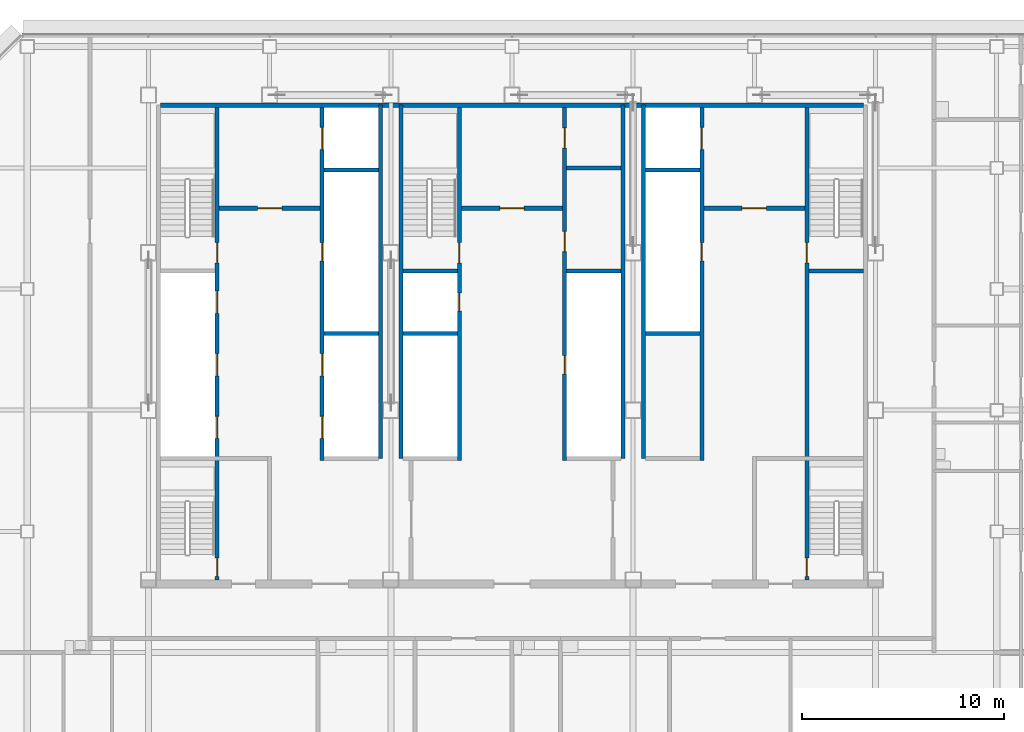
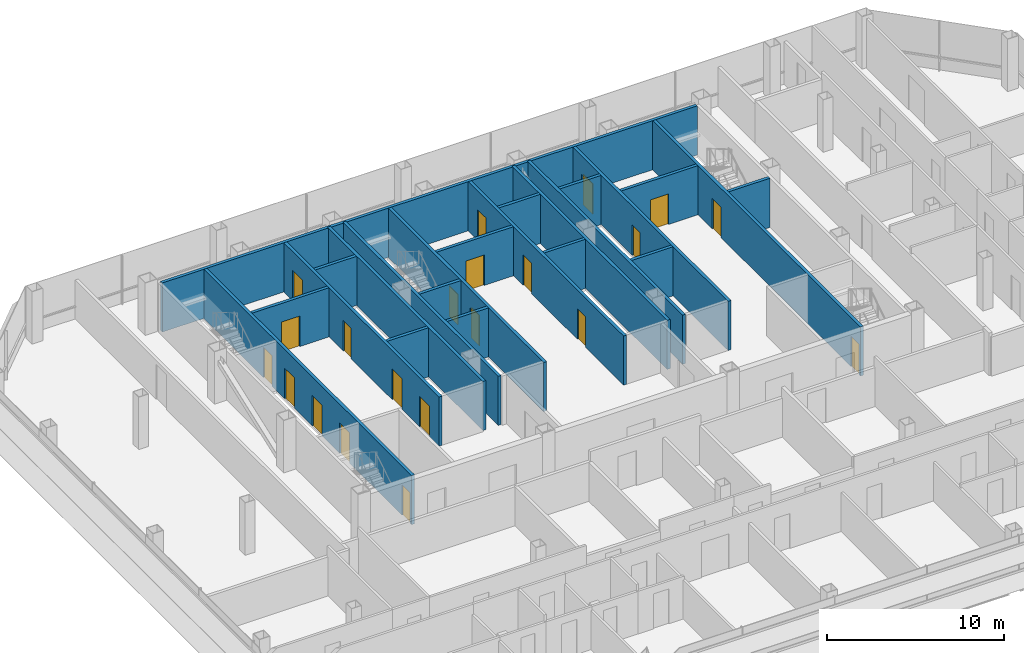
# One storey, part 22 of 26: 23 walls, 21 doors, 21 openings.
"""IFC4 building model written with IfcOpenShell, lengths in metres."""

import ifcopenshell
import ifcopenshell.guid

model = None  # the IFC model being written
_history = None  # IfcOwnerHistory: only IFC2X3 demands one
_inside = {}  # id of a spatial element -> (the spatial element, [elements in it])
_under = {}  # id of a project, library or spatial element -> (it, [spatial elements below it])
_declared = {}  # id of a project -> (the project, [libraries it declares])
_typed = {}  # id of a type object -> (the type object, [elements of that type])
_made_of = {}  # id of a material, layer set ... -> (it, [elements and type objects made of it])


def new_model(schema):
    """Start an empty IFC model of exactly this schema.

    Asked for "IFC4X3", IfcOpenShell would pick the latest addendum, in which some entities
    have other attributes; the version numbers below select the first issue.
    IFC2X3 requires an IfcOwnerHistory on every rooted entity: one is made here for all.
    """
    global model, _history
    if schema == "IFC4X3":
        model = ifcopenshell.file(schema_version=(4, 3, 0, 0))
    else:
        model = ifcopenshell.file(schema=schema)
    _inside.clear()
    _under.clear()
    _declared.clear()
    _typed.clear()
    _made_of.clear()
    _history = None
    if model.schema == "IFC2X3":
        org = make("IfcOrganization", Name="unknown")
        user = make(
            "IfcPersonAndOrganization",
            ThePerson=make("IfcPerson", FamilyName="unknown"),
            TheOrganization=org,
        )
        app = make(
            "IfcApplication",
            ApplicationDeveloper=org,
            Version="unknown",
            ApplicationFullName="unknown",
            ApplicationIdentifier="unknown",
        )
        _history = make(
            "IfcOwnerHistory",
            OwningUser=user,
            OwningApplication=app,
            ChangeAction="ADDED",
            CreationDate=0,
        )
    return model


def make(cls, **values):
    """One entity of the class cls with the attributes given. An attribute that is None is left unset."""
    return model.create_entity(
        cls, **{name: value for name, value in values.items() if value is not None}
    )


def rooted(cls, **values):
    """An entity with a GlobalId (a new one), such as an element, a storey or a relation."""
    return make(cls, GlobalId=ifcopenshell.guid.new(), OwnerHistory=_history, **values)


def si_unit(unit_type, name, prefix=None):
    """IfcSIUnit, for example si_unit("LENGTHUNIT", "METRE", prefix="MILLI")."""
    return make("IfcSIUnit", UnitType=unit_type, Prefix=prefix, Name=name)


def assignment(units):
    """IfcUnitAssignment: the units of a project."""
    return None if units is None else make("IfcUnitAssignment", Units=units)


def point(xyz):
    """IfcCartesianPoint."""
    return None if xyz is None else make("IfcCartesianPoint", Coordinates=xyz)


def direction(xyz):
    """IfcDirection."""
    return None if xyz is None else make("IfcDirection", DirectionRatios=xyz)


def frame(location, z_axis=None, x_axis=None):
    """IfcAxis2Placement3D, a coordinate frame: its origin and axes. An axis left out is left unset."""
    return make(
        "IfcAxis2Placement3D",
        Location=point(location),
        Axis=direction(z_axis),
        RefDirection=direction(x_axis),
    )


def frame_2d(location, x_axis=None):
    """IfcAxis2Placement2D, a coordinate frame in the plane: its origin and x axis."""
    return make(
        "IfcAxis2Placement2D", Location=point(location), RefDirection=direction(x_axis)
    )


def origin():
    """The frame at (0, 0, 0) with its axes left unset."""
    return frame((0.0, 0.0, 0.0))


def place(relative_to, where):
    """IfcLocalPlacement: puts the frame where relative to a parent placement (None: the world)."""
    return make(
        "IfcLocalPlacement", PlacementRelTo=relative_to, RelativePlacement=where
    )


def context(
    kind, dimensions, precision=None, world=None, true_north=None, identifier=None
):
    """IfcGeometricRepresentationContext, for example the 3D "Model" context."""
    return make(
        "IfcGeometricRepresentationContext",
        ContextIdentifier=identifier,
        ContextType=kind,
        CoordinateSpaceDimension=dimensions,
        Precision=precision,
        WorldCoordinateSystem=world,
        TrueNorth=true_north,
    )


def subcontext(parent, identifier, kind, view, scale=None):
    """IfcGeometricRepresentationSubContext, for example "Body" below "Model"."""
    return make(
        "IfcGeometricRepresentationSubContext",
        ContextIdentifier=identifier,
        ContextType=kind,
        ParentContext=parent,
        TargetScale=scale,
        TargetView=view,
    )


def project(units=None, contexts=None):
    """IfcProject with its units and contexts."""
    return rooted(
        "IfcProject",
        Name="project",
        RepresentationContexts=contexts,
        UnitsInContext=assignment(units),
    )


def spatial(cls, under=None, at=None, **own):
    """A site, building, storey or space (cls), placed at a placement, below another one or the project."""
    s = rooted(cls, ObjectPlacement=at, **own)
    if under is not None:
        _under.setdefault(under.id(), (under, []))[1].append(s)
    return s


def profile(cls, at=None, kind="AREA", **sizes):
    """A parametric profile (cls). Its sizes go by their IFC names, for example OverallWidth=200.0."""
    return make(cls, ProfileType=kind, Position=at, **sizes)


def rectangle(**sizes):
    """IfcRectangleProfileDef."""
    return profile("IfcRectangleProfileDef", **sizes)


def extrude(swept, where, along, depth):
    """IfcExtrudedAreaSolid: the profile swept, set in the frame where, extruded along a direction by depth."""
    return make(
        "IfcExtrudedAreaSolid",
        SweptArea=swept,
        Position=where,
        ExtrudedDirection=direction(along),
        Depth=depth,
    )


def shape(context_of_items, identifier, shape_type, items):
    """IfcShapeRepresentation: the items that make up one representation, for example the "Body"."""
    return make(
        "IfcShapeRepresentation",
        ContextOfItems=context_of_items,
        RepresentationIdentifier=identifier,
        RepresentationType=shape_type,
        Items=items,
    )


def material(Name=None, Category=None):
    """IfcMaterial."""
    return make("IfcMaterial", Name=Name, Category=Category)


def layer(
    of_material, thickness, ventilated=None, Name=None, Category=None, Priority=None
):
    """IfcMaterialLayer: one layer of a wall or slab, of a material (None: an air gap)."""
    return make(
        "IfcMaterialLayer",
        Material=of_material,
        LayerThickness=thickness,
        IsVentilated=ventilated,
        Name=Name,
        Category=Category,
        Priority=Priority,
    )


def layer_set(layers, Name=None):
    """IfcMaterialLayerSet."""
    return make("IfcMaterialLayerSet", MaterialLayers=layers, LayerSetName=Name)


def made_of(thing, what):
    """Note that an element or type object is made of a material, layer set ...; save() writes the relation."""
    if what is not None:
        _made_of.setdefault(what.id(), (what, []))[1].append(thing)
    return thing


def type_object(cls, material=None, **own):
    """A type object (cls), such as IfcWallType, which elements share."""
    return made_of(rooted(cls, **own), material)


def element(
    cls,
    number,
    at=None,
    inside=None,
    cuts=None,
    type_object=None,
    material=None,
    context=None,
    identifier="Body",
    shape_type=None,
    held_by="IfcProductDefinitionShape",
    body=None,
    shapes=None,
    **own,
):
    """One element of the class cls, such as IfcWall. Its Tag is "e" and its number.

    at: its placement. inside: the storey or other place that contains it. cuts: it is an
    opening in that element (IfcRelVoidsElement). A single representation is given by context,
    identifier, shape_type and body (its items); several are given by shapes. held_by: the class
    of the entity that holds the representations. save() writes the other relations.
    """
    e = rooted(cls, Tag="e%d" % number, ObjectPlacement=at, **own)
    if body is not None:
        shapes = [shape(context, identifier, shape_type, body)]
    if shapes is not None:
        e.Representation = make(held_by, Representations=shapes)
    if inside is not None:
        _inside.setdefault(inside.id(), (inside, []))[1].append(e)
    if cuts is not None:
        rooted(
            "IfcRelVoidsElement", RelatingBuildingElement=cuts, RelatedOpeningElement=e
        )
    if type_object is not None:
        _typed.setdefault(type_object.id(), (type_object, []))[1].append(e)
    return made_of(e, material)


def fill(opening, filler):
    """IfcRelFillsElement: the door or window that sits in an opening."""
    return rooted(
        "IfcRelFillsElement",
        RelatingOpeningElement=opening,
        RelatedBuildingElement=filler,
    )


def aggregate(whole, parts):
    """IfcRelAggregates: a whole, such as a stair, and the parts it consists of."""
    return rooted("IfcRelAggregates", RelatingObject=whole, RelatedObjects=parts)


def save(model, path):
    """Write the relations noted so far, then the file.

    IfcRelAggregates (storeys below a building ...), IfcRelContainedInSpatialStructure (elements
    in a storey), IfcRelDefinesByType, IfcRelAssociatesMaterial and IfcRelDeclares: one each for
    every whole, place, type object, material and project.
    """
    for whole, parts in _under.values():
        aggregate(whole, parts)
    for where, things in _inside.values():
        rooted(
            "IfcRelContainedInSpatialStructure",
            RelatedElements=things,
            RelatingStructure=where,
        )
    for kind, things in _typed.values():
        rooted("IfcRelDefinesByType", RelatedObjects=things, RelatingType=kind)
    for what, things in _made_of.values():
        rooted("IfcRelAssociatesMaterial", RelatedObjects=things, RelatingMaterial=what)
    for by, libraries in _declared.values():
        rooted("IfcRelDeclares", RelatingContext=by, RelatedDefinitions=libraries)
    model.write(path)


model = new_model("IFC4")

# Units and contexts
model_context = context("Model", 3, precision=1e-05, world=origin(), true_north=direction((0.0, 1.0)))
body_context = subcontext(model_context, "Body", "Model", "MODEL_VIEW")
ifc_project = project(units=[si_unit("LENGTHUNIT", "METRE"), si_unit("AREAUNIT", "SQUARE_METRE"), si_unit("VOLUMEUNIT", "CUBIC_METRE"), si_unit("PLANEANGLEUNIT", "RADIAN"), si_unit("MASSUNIT", "GRAM", prefix="KILO")], contexts=[model_context])

# Site, building, storey
site_placement = place(None, origin())
site = spatial("IfcSite", under=ifc_project, at=site_placement, CompositionType="ELEMENT")
building_placement = place(site_placement, origin())
building = spatial("IfcBuilding", under=site, at=building_placement, Name="Sorahane Residences", CompositionType="ELEMENT")
storey_placement = place(building_placement, frame((0.0, 0.0, 158.199951171875)))
storey = spatial("IfcBuildingStorey", under=building, at=storey_placement, Name="L36", CompositionType="ELEMENT", Elevation=158.199951171875)

# Walls
ifc_material_1 = material(Name="Concrete C30", Category="concrete")
ifc_layer_1 = layer(ifc_material_1, 0.199951171875)
ifc_layer_set_1 = layer_set([ifc_layer_1], Name="Core face wall 200 EI 180")
wall_type_1 = type_object("IfcWallType", Name="Core face wall 200 EI 180", PredefinedType="SOLIDWALL", material=ifc_layer_set_1)
wall_1_placement = place(storey_placement, frame((6.60009765625, 45.10009765625, 0.0), z_axis=(0.0, 0.0, 1.0), x_axis=(1.0, 0.0, 0.0)))
element("IfcWall", 1, at=wall_1_placement, inside=storey, type_object=wall_type_1, Name="L36 core face wall", PredefinedType="SOLIDWALL", context=body_context, shape_type="SweptSolid", body=[
    extrude(rectangle(XDim=34.7998046875, YDim=0.199951171875, at=frame_2d((17.39990234375, 0.0))), origin(), (0.0, 0.0, 1.0), 3.380126953125),
])
for number, where, z_axis, x_axis, name in (
    (2, (17.5, 27.60009765625, 0.0), (0.0, 0.0, 1.0), (0.0, 1.0, 0.0), "L36 core face wall"),
    (3, (18.5, 27.60009765625, 0.0), (0.0, 0.0, 1.0), (0.0, 1.0, 0.0), "L36 core face wall"),
    (4, (29.5, 27.60009765625, 0.0), (0.0, 0.0, 1.0), (0.0, 1.0, 0.0), "L36 core face wall"),
    (5, (30.5, 27.60009765625, 0.0), (0.0, 0.0, 1.0), (0.0, 1.0, 0.0), "L36 core face wall"),
):
    element("IfcWall", number, at=place(storey_placement, frame(where, z_axis=z_axis, x_axis=x_axis)), inside=storey, type_object=wall_type_1, Name=name, PredefinedType="SOLIDWALL", context=body_context, shape_type="SweptSolid", body=[
        extrude(rectangle(XDim=17.5, YDim=0.199951171875, at=frame_2d((8.75, 0.0))), origin(), (0.0, 0.0, 1.0), 3.380126953125),
    ])

# Wall, opening, door
ifc_material_2 = material(Name="Concrete C30", Category="concrete")
ifc_layer_2 = layer(ifc_material_2, 0.199951171875)
ifc_layer_set_2 = layer_set([ifc_layer_2], Name="Front room wall 200 EI 120")
wall_type_2 = type_object("IfcWallType", Name="Front room wall 200 EI 120", PredefinedType="PARTITIONING", material=ifc_layer_set_2)
wall_2_placement = place(storey_placement, frame((21.5, 40.0, 0.0), z_axis=(0.0, 0.0, 1.0), x_axis=(1.0, 0.0, 0.0)))
wall_2 = element("IfcWall", 6, at=wall_2_placement, inside=storey, type_object=wall_type_2, Name="L36 front room wall", PredefinedType="PARTITIONING", context=body_context, shape_type="SweptSolid", body=[
    extrude(rectangle(XDim=5.0, YDim=0.199951171875, at=frame_2d((2.5, 0.0))), origin(), (0.0, 0.0, 1.0), 3.380126953125),
])
opening_1_placement = place(wall_2_placement, frame((1.89990234375, 0.0, 0.0)))
opening_1 = element("IfcOpeningElement", 7, at=opening_1_placement, cuts=wall_2, Name="Opening L36-C09", PredefinedType="OPENING", context=body_context, shape_type="SweptSolid", body=[
    extrude(rectangle(XDim=1.199951171875, YDim=2.10009765625, at=frame_2d((0.60009765625, 1.050048828125))), frame((0.0, 0.10986328125, 0.0), z_axis=(0.0, -1.0, 0.0), x_axis=(1.0, 0.0, 0.0)), (0.0, 0.0, 1.0), 0.219970703125),
])
ifc_material_3 = material(Name="Steel", Category="steel")
door_type_1 = type_object("IfcDoorType", Name="Front room door 1200x2100 FD120", OperationType="NOTDEFINED", PredefinedType="DOOR", material=ifc_material_3)
door_1_placement = place(opening_1_placement, frame((1.199951171875, 0.0, 0.0), z_axis=(0.0, 0.0, 1.0), x_axis=(-1.0, 0.0, 0.0)))
door_1 = element("IfcDoor", 8, at=door_1_placement, inside=storey, type_object=door_type_1, Name="Front room door Stair S3 vestibule L36", OperationType="DOUBLE_DOOR_SINGLE_SWING", OverallHeight=2.10009765625, OverallWidth=1.199951171875, PredefinedType="DOOR", context=body_context, shape_type="SweptSolid", body=[
    extrude(rectangle(XDim=1.199951171875, YDim=2.10009765625, at=frame_2d((0.60009765625, 1.050048828125))), frame((0.0, 0.02490234375, 0.0), z_axis=(0.0, -1.0, 0.0), x_axis=(1.0, 0.0, 0.0)), (0.0, 0.0, 1.0), 0.050048828125),
])
fill(opening_1, door_1)

wall_3_placement = place(storey_placement, frame((33.5, 40.0, 0.0), z_axis=(0.0, 0.0, 1.0), x_axis=(1.0, 0.0, 0.0)))
wall_3 = element("IfcWall", 9, at=wall_3_placement, inside=storey, type_object=wall_type_2, Name="L36 front room wall", PredefinedType="PARTITIONING", context=body_context, shape_type="SweptSolid", body=[
    extrude(rectangle(XDim=5.0, YDim=0.199951171875, at=frame_2d((2.5, 0.0))), origin(), (0.0, 0.0, 1.0), 3.380126953125),
])
opening_2_placement = place(wall_3_placement, frame((1.89990234375, 0.0, 0.0)))
opening_2 = element("IfcOpeningElement", 10, at=opening_2_placement, cuts=wall_3, Name="Opening L36-C10", PredefinedType="OPENING", context=body_context, shape_type="SweptSolid", body=[
    extrude(rectangle(XDim=1.199951171875, YDim=2.10009765625, at=frame_2d((0.60009765625, 1.050048828125))), frame((0.0, 0.10986328125, 0.0), z_axis=(0.0, -1.0, 0.0), x_axis=(1.0, 0.0, 0.0)), (0.0, 0.0, 1.0), 0.219970703125),
])
door_2_placement = place(opening_2_placement, frame((1.199951171875, 0.0, 0.0), z_axis=(0.0, 0.0, 1.0), x_axis=(-1.0, 0.0, 0.0)))
door_2 = element("IfcDoor", 11, at=door_2_placement, inside=storey, type_object=door_type_1, Name="Front room door Firefighting lobby FF2 front room L36", OperationType="DOUBLE_DOOR_SINGLE_SWING", OverallHeight=2.10009765625, OverallWidth=1.199951171875, PredefinedType="DOOR", context=body_context, shape_type="SweptSolid", body=[
    extrude(rectangle(XDim=1.199951171875, YDim=2.10009765625, at=frame_2d((0.60009765625, 1.050048828125))), frame((0.0, 0.02490234375, 0.0), z_axis=(0.0, -1.0, 0.0), x_axis=(1.0, 0.0, 0.0)), (0.0, 0.0, 1.0), 0.050048828125),
])
fill(opening_2, door_2)

wall_4_placement = place(storey_placement, frame((9.5, 40.0, 0.0), z_axis=(0.0, 0.0, 1.0), x_axis=(1.0, 0.0, 0.0)))
wall_4 = element("IfcWall", 12, at=wall_4_placement, inside=storey, type_object=wall_type_2, Name="L36 front room wall", PredefinedType="PARTITIONING", context=body_context, shape_type="SweptSolid", body=[
    extrude(rectangle(XDim=5.0, YDim=0.199951171875, at=frame_2d((2.5, 0.0))), origin(), (0.0, 0.0, 1.0), 3.380126953125),
])
opening_3_placement = place(wall_4_placement, frame((1.89990234375, 0.0, 0.0)))
opening_3 = element("IfcOpeningElement", 13, at=opening_3_placement, cuts=wall_4, Name="Opening L36-C08", PredefinedType="OPENING", context=body_context, shape_type="SweptSolid", body=[
    extrude(rectangle(XDim=1.199951171875, YDim=2.10009765625, at=frame_2d((0.60009765625, 1.050048828125))), frame((0.0, 0.10986328125, 0.0), z_axis=(0.0, -1.0, 0.0), x_axis=(1.0, 0.0, 0.0)), (0.0, 0.0, 1.0), 0.219970703125),
])
door_3_placement = place(opening_3_placement, frame((1.199951171875, 0.0, 0.0), z_axis=(0.0, 0.0, 1.0), x_axis=(-1.0, 0.0, 0.0)))
door_3 = element("IfcDoor", 14, at=door_3_placement, inside=storey, type_object=door_type_1, Name="Front room door Firefighting lobby FF1 front room L36", OperationType="DOUBLE_DOOR_SINGLE_SWING", OverallHeight=2.10009765625, OverallWidth=1.199951171875, PredefinedType="DOOR", context=body_context, shape_type="SweptSolid", body=[
    extrude(rectangle(XDim=1.199951171875, YDim=2.10009765625, at=frame_2d((0.60009765625, 1.050048828125))), frame((0.0, 0.02490234375, 0.0), z_axis=(0.0, -1.0, 0.0), x_axis=(1.0, 0.0, 0.0)), (0.0, 0.0, 1.0), 0.050048828125),
])
fill(opening_3, door_3)

# Wall, openings, doors
ifc_material_4 = material(Name="Concrete C30", Category="concrete")
ifc_layer_3 = layer(ifc_material_4, 0.199951171875)
ifc_layer_set_3 = layer_set([ifc_layer_3], Name="Lift shaft wall 200 EI 120")
wall_type_3 = type_object("IfcWallType", Name="Lift shaft wall 200 EI 120", PredefinedType="SOLIDWALL", material=ifc_layer_set_3)
wall_5_placement = place(storey_placement, frame((14.60009765625, 27.5, 0.0), z_axis=(0.0, 0.0, 1.0), x_axis=(0.0, 1.0, 0.0)))
wall_5 = element("IfcWall", 15, at=wall_5_placement, inside=storey, type_object=wall_type_3, Name="L36 lift shaft wall", PredefinedType="SOLIDWALL", context=body_context, shape_type="SweptSolid", body=[
    extrude(rectangle(XDim=17.5, YDim=0.199951171875, at=frame_2d((8.75, 0.0))), origin(), (0.0, 0.0, 1.0), 3.380126953125),
])
opening_4_placement = place(wall_5_placement, frame((1.10009765625, 0.0, 0.0)))
opening_4 = element("IfcOpeningElement", 16, at=opening_4_placement, cuts=wall_5, Name="Opening L36-C12", PredefinedType="OPENING", context=body_context, shape_type="SweptSolid", body=[
    extrude(rectangle(XDim=1.10009765625, YDim=2.10009765625, at=frame_2d((0.550048828125, 1.050048828125))), frame((0.0, 0.10986328125, 0.0), z_axis=(0.0, -1.0, 0.0), x_axis=(1.0, 0.0, 0.0)), (0.0, 0.0, 1.0), 0.219970703125),
])
opening_5_placement = place(wall_5_placement, frame((4.199951171875, 0.0, 0.0)))
opening_5 = element("IfcOpeningElement", 17, at=opening_5_placement, cuts=wall_5, Name="Opening L36-C13", PredefinedType="OPENING", context=body_context, shape_type="SweptSolid", body=[
    extrude(rectangle(XDim=1.10009765625, YDim=2.10009765625, at=frame_2d((0.550048828125, 1.050048828125))), frame((0.0, 0.10986328125, 0.0), z_axis=(0.0, -1.0, 0.0), x_axis=(1.0, 0.0, 0.0)), (0.0, 0.0, 1.0), 0.219970703125),
])
opening_6_placement = place(wall_5_placement, frame((15.39990234375, 0.0, 0.0)))
opening_6 = element("IfcOpeningElement", 18, at=opening_6_placement, cuts=wall_5, Name="Opening L36-C14", PredefinedType="OPENING", context=body_context, shape_type="SweptSolid", body=[
    extrude(rectangle(XDim=1.10009765625, YDim=2.10009765625, at=frame_2d((0.550048828125, 1.050048828125))), frame((0.0, 0.10986328125, 0.0), z_axis=(0.0, -1.0, 0.0), x_axis=(1.0, 0.0, 0.0)), (0.0, 0.0, 1.0), 0.219970703125),
])
opening_7_placement = place(wall_5_placement, frame((9.89990234375, 0.0, 0.0)))
opening_7 = element("IfcOpeningElement", 19, at=opening_7_placement, cuts=wall_5, Name="Opening L36-C23", PredefinedType="OPENING", context=body_context, shape_type="SweptSolid", body=[
    extrude(rectangle(XDim=0.89990234375, YDim=2.10009765625, at=frame_2d((0.449951171875, 1.050048828125))), frame((0.0, 0.10986328125, 0.0), z_axis=(0.0, -1.0, 0.0), x_axis=(1.0, 0.0, 0.0)), (0.0, 0.0, 1.0), 0.219970703125),
])
ifc_material_5 = material(Name="Aluminium and stainless steel", Category="steel")
door_type_2 = type_object("IfcDoorType", Name="Lift landing door 1100x2100 E 60", OperationType="NOTDEFINED", PredefinedType="DOOR", material=ifc_material_5)
door_4_placement = place(opening_4_placement, origin())
door_4 = element("IfcDoor", 20, at=door_4_placement, inside=storey, type_object=door_type_2, Name="Lift landing door LR4 L36", OperationType="DOUBLE_DOOR_SLIDING", OverallHeight=2.10009765625, OverallWidth=1.10009765625, PredefinedType="DOOR", context=body_context, shape_type="SweptSolid", body=[
    extrude(rectangle(XDim=1.10009765625, YDim=2.10009765625, at=frame_2d((0.550048828125, 1.050048828125))), frame((0.0, 0.02490234375, 0.0), z_axis=(0.0, -1.0, 0.0), x_axis=(1.0, 0.0, 0.0)), (0.0, 0.0, 1.0), 0.050048828125),
])
fill(opening_4, door_4)
door_5_placement = place(opening_5_placement, origin())
door_5 = element("IfcDoor", 21, at=door_5_placement, inside=storey, type_object=door_type_2, Name="Lift landing door LR5 L36", OperationType="DOUBLE_DOOR_SLIDING", OverallHeight=2.10009765625, OverallWidth=1.10009765625, PredefinedType="DOOR", context=body_context, shape_type="SweptSolid", body=[
    extrude(rectangle(XDim=1.10009765625, YDim=2.10009765625, at=frame_2d((0.550048828125, 1.050048828125))), frame((0.0, 0.02490234375, 0.0), z_axis=(0.0, -1.0, 0.0), x_axis=(1.0, 0.0, 0.0)), (0.0, 0.0, 1.0), 0.050048828125),
])
fill(opening_5, door_5)
door_6_placement = place(opening_6_placement, origin())
door_6 = element("IfcDoor", 22, at=door_6_placement, inside=storey, type_object=door_type_2, Name="Lift landing door FF1 L36", OperationType="DOUBLE_DOOR_SLIDING", OverallHeight=2.10009765625, OverallWidth=1.10009765625, PredefinedType="DOOR", context=body_context, shape_type="SweptSolid", body=[
    extrude(rectangle(XDim=1.10009765625, YDim=2.10009765625, at=frame_2d((0.550048828125, 1.050048828125))), frame((0.0, 0.02490234375, 0.0), z_axis=(0.0, -1.0, 0.0), x_axis=(1.0, 0.0, 0.0)), (0.0, 0.0, 1.0), 0.050048828125),
])
fill(opening_6, door_6)
ifc_material_6 = material(Name="Steel", Category="steel")
door_type_3 = type_object("IfcDoorType", Name="Riser door 900x2100 FD120", OperationType="NOTDEFINED", PredefinedType="DOOR", material=ifc_material_6)
door_7_placement = place(opening_7_placement, origin())
door_7 = element("IfcDoor", 23, at=door_7_placement, inside=storey, type_object=door_type_3, Name="Riser door R1 L36", OperationType="SINGLE_SWING_LEFT", OverallHeight=2.10009765625, OverallWidth=0.89990234375, PredefinedType="DOOR", context=body_context, shape_type="SweptSolid", body=[
    extrude(rectangle(XDim=0.89990234375, YDim=2.10009765625, at=frame_2d((0.449951171875, 1.050048828125))), frame((0.0, 0.02490234375, 0.0), z_axis=(0.0, -1.0, 0.0), x_axis=(1.0, 0.0, 0.0)), (0.0, 0.0, 1.0), 0.050048828125),
])
fill(opening_7, door_7)

wall_6_placement = place(storey_placement, frame((33.39990234375, 27.5, 0.0), z_axis=(0.0, 0.0, 1.0), x_axis=(0.0, 1.0, 0.0)))
wall_6 = element("IfcWall", 24, at=wall_6_placement, inside=storey, type_object=wall_type_3, Name="L36 lift shaft wall", PredefinedType="SOLIDWALL", context=body_context, shape_type="SweptSolid", body=[
    extrude(rectangle(XDim=17.5, YDim=0.199951171875, at=frame_2d((8.75, 0.0))), origin(), (0.0, 0.0, 1.0), 3.380126953125),
])
opening_8_placement = place(wall_6_placement, frame((15.39990234375, 0.0, 0.0)))
opening_8 = element("IfcOpeningElement", 25, at=opening_8_placement, cuts=wall_6, Name="Opening L36-C11", PredefinedType="OPENING", context=body_context, shape_type="SweptSolid", body=[
    extrude(rectangle(XDim=1.10009765625, YDim=2.10009765625, at=frame_2d((0.550048828125, 1.050048828125))), frame((0.0, 0.10986328125, 0.0), z_axis=(0.0, -1.0, 0.0), x_axis=(1.0, 0.0, 0.0)), (0.0, 0.0, 1.0), 0.219970703125),
])
opening_9_placement = place(wall_6_placement, frame((9.89990234375, 0.0, 0.0)))
opening_9 = element("IfcOpeningElement", 26, at=opening_9_placement, cuts=wall_6, Name="Opening L36-C24", PredefinedType="OPENING", context=body_context, shape_type="SweptSolid", body=[
    extrude(rectangle(XDim=0.89990234375, YDim=2.10009765625, at=frame_2d((0.449951171875, 1.050048828125))), frame((0.0, 0.10986328125, 0.0), z_axis=(0.0, -1.0, 0.0), x_axis=(1.0, 0.0, 0.0)), (0.0, 0.0, 1.0), 0.219970703125),
])
door_8_placement = place(opening_8_placement, origin())
door_8 = element("IfcDoor", 27, at=door_8_placement, inside=storey, type_object=door_type_2, Name="Lift landing door FF2 L36", OperationType="DOUBLE_DOOR_SLIDING", OverallHeight=2.10009765625, OverallWidth=1.10009765625, PredefinedType="DOOR", context=body_context, shape_type="SweptSolid", body=[
    extrude(rectangle(XDim=1.10009765625, YDim=2.10009765625, at=frame_2d((0.550048828125, 1.050048828125))), frame((0.0, 0.02490234375, 0.0), z_axis=(0.0, -1.0, 0.0), x_axis=(1.0, 0.0, 0.0)), (0.0, 0.0, 1.0), 0.050048828125),
])
fill(opening_8, door_8)
door_9_placement = place(opening_9_placement, frame((0.89990234375, 0.0, 0.0), z_axis=(0.0, 0.0, 1.0), x_axis=(-1.0, 0.0, 0.0)))
door_9 = element("IfcDoor", 28, at=door_9_placement, inside=storey, type_object=door_type_3, Name="Riser door R2 L36", OperationType="SINGLE_SWING_LEFT", OverallHeight=2.10009765625, OverallWidth=0.89990234375, PredefinedType="DOOR", context=body_context, shape_type="SweptSolid", body=[
    extrude(rectangle(XDim=0.89990234375, YDim=2.10009765625, at=frame_2d((0.449951171875, 1.050048828125))), frame((0.0, 0.02490234375, 0.0), z_axis=(0.0, -1.0, 0.0), x_axis=(1.0, 0.0, 0.0)), (0.0, 0.0, 1.0), 0.050048828125),
])
fill(opening_9, door_9)

# Walls
for number, where, z_axis, x_axis, name in (
    (29, (14.699951171875, 33.800048828125, 0.0), (0.0, 0.0, 1.0), (1.0, 0.0, 0.0), "L36 lift shaft wall"),
    (30, (18.60009765625, 33.800048828125, 0.0), (0.0, 0.0, 1.0), (1.0, 0.0, 0.0), "L36 lift shaft wall"),
    (31, (30.60009765625, 33.800048828125, 0.0), (0.0, 0.0, 1.0), (1.0, 0.0, 0.0), "L36 lift shaft wall"),
    (32, (14.699951171875, 41.89990234375, 0.0), (0.0, 0.0, 1.0), (1.0, 0.0, 0.0), "L36 lift shaft wall"),
    (33, (30.60009765625, 41.89990234375, 0.0), (0.0, 0.0, 1.0), (1.0, 0.0, 0.0), "L36 lift shaft wall"),
):
    element("IfcWall", number, at=place(storey_placement, frame(where, z_axis=z_axis, x_axis=x_axis)), inside=storey, type_object=wall_type_3, Name=name, PredefinedType="SOLIDWALL", context=body_context, shape_type="SweptSolid", body=[
        extrude(rectangle(XDim=2.699951171875, YDim=0.199951171875, at=frame_2d((1.35009765625, 0.0))), origin(), (0.0, 0.0, 1.0), 3.380126953125),
    ])

# Wall, openings, doors
ifc_material_7 = material(Name="Concrete C30", Category="concrete")
ifc_layer_4 = layer(ifc_material_7, 0.199951171875)
ifc_layer_set_4 = layer_set([ifc_layer_4], Name="Riser shaft wall 200 EI 120")
wall_type_4 = type_object("IfcWallType", Name="Riser shaft wall 200 EI 120", PredefinedType="SOLIDWALL", material=ifc_layer_set_4)
wall_7_placement = place(storey_placement, frame((26.60009765625, 27.5, 0.0), z_axis=(0.0, 0.0, 1.0), x_axis=(0.0, 1.0, 0.0)))
wall_7 = element("IfcWall", 34, at=wall_7_placement, inside=storey, type_object=wall_type_4, Name="L36 riser wall", PredefinedType="SOLIDWALL", context=body_context, shape_type="SweptSolid", body=[
    extrude(rectangle(XDim=17.5, YDim=0.199951171875, at=frame_2d((8.75, 0.0))), origin(), (0.0, 0.0, 1.0), 3.380126953125),
])
opening_10_placement = place(wall_7_placement, frame((4.300048828125, 0.0, 0.0)))
opening_10 = element("IfcOpeningElement", 35, at=opening_10_placement, cuts=wall_7, Name="Opening L36-C26", PredefinedType="OPENING", context=body_context, shape_type="SweptSolid", body=[
    extrude(rectangle(XDim=0.89990234375, YDim=2.10009765625, at=frame_2d((0.449951171875, 1.050048828125))), frame((0.0, 0.10986328125, 0.0), z_axis=(0.0, -1.0, 0.0), x_axis=(1.0, 0.0, 0.0)), (0.0, 0.0, 1.0), 0.219970703125),
])
opening_11_placement = place(wall_7_placement, frame((10.35009765625, 0.0, 0.0)))
opening_11 = element("IfcOpeningElement", 36, at=opening_11_placement, cuts=wall_7, Name="Opening L36-C27", PredefinedType="OPENING", context=body_context, shape_type="SweptSolid", body=[
    extrude(rectangle(XDim=1.0, YDim=2.10009765625, at=frame_2d((0.5, 1.050048828125))), frame((0.0, 0.10986328125, 0.0), z_axis=(0.0, -1.0, 0.0), x_axis=(1.0, 0.0, 0.0)), (0.0, 0.0, 1.0), 0.219970703125),
])
opening_12_placement = place(wall_7_placement, frame((15.47509765625, 0.0, 0.0)))
opening_12 = element("IfcOpeningElement", 37, at=opening_12_placement, cuts=wall_7, Name="Opening L36-C28", PredefinedType="OPENING", context=body_context, shape_type="SweptSolid", body=[
    extrude(rectangle(XDim=1.0, YDim=2.10009765625, at=frame_2d((0.5, 1.050048828125))), frame((0.0, 0.10986328125, 0.0), z_axis=(0.0, -1.0, 0.0), x_axis=(1.0, 0.0, 0.0)), (0.0, 0.0, 1.0), 0.219970703125),
])
door_10_placement = place(opening_10_placement, origin())
door_10 = element("IfcDoor", 38, at=door_10_placement, inside=storey, type_object=door_type_3, Name="Riser door R4 L36", OperationType="SINGLE_SWING_LEFT", OverallHeight=2.10009765625, OverallWidth=0.89990234375, PredefinedType="DOOR", context=body_context, shape_type="SweptSolid", body=[
    extrude(rectangle(XDim=0.89990234375, YDim=2.10009765625, at=frame_2d((0.449951171875, 1.050048828125))), frame((0.0, 0.02490234375, 0.0), z_axis=(0.0, -1.0, 0.0), x_axis=(1.0, 0.0, 0.0)), (0.0, 0.0, 1.0), 0.050048828125),
])
fill(opening_10, door_10)
ifc_material_8 = material(Name="Steel", Category="steel")
door_type_4 = type_object("IfcDoorType", Name="Service room door 1000x2100 FD60", OperationType="NOTDEFINED", PredefinedType="DOOR", material=ifc_material_8)
door_11_placement = place(opening_11_placement, frame((1.0, 0.0, 0.0), z_axis=(0.0, 0.0, 1.0), x_axis=(-1.0, 0.0, 0.0)))
door_11 = element("IfcDoor", 39, at=door_11_placement, inside=storey, type_object=door_type_4, Name="Service room door Parcel room L36", OperationType="SINGLE_SWING_LEFT", OverallHeight=2.10009765625, OverallWidth=1.0, PredefinedType="DOOR", context=body_context, shape_type="SweptSolid", body=[
    extrude(rectangle(XDim=1.0, YDim=2.10009765625, at=frame_2d((0.5, 1.050048828125))), frame((0.0, 0.02490234375, 0.0), z_axis=(0.0, -1.0, 0.0), x_axis=(1.0, 0.0, 0.0)), (0.0, 0.0, 1.0), 0.050048828125),
])
fill(opening_11, door_11)
door_12_placement = place(opening_12_placement, frame((1.0, 0.0, 0.0), z_axis=(0.0, 0.0, 1.0), x_axis=(-1.0, 0.0, 0.0)))
door_12 = element("IfcDoor", 40, at=door_12_placement, inside=storey, type_object=door_type_4, Name="Service room door Refuse room L36", OperationType="SINGLE_SWING_RIGHT", OverallHeight=2.10009765625, OverallWidth=1.0, PredefinedType="DOOR", context=body_context, shape_type="SweptSolid", body=[
    extrude(rectangle(XDim=1.0, YDim=2.10009765625, at=frame_2d((0.5, 1.050048828125))), frame((0.0, 0.02490234375, 0.0), z_axis=(0.0, -1.0, 0.0), x_axis=(1.0, 0.0, 0.0)), (0.0, 0.0, 1.0), 0.050048828125),
])
fill(opening_12, door_12)

# Walls
wall_8_placement = place(storey_placement, frame((26.699951171875, 36.89990234375, 0.0), z_axis=(0.0, 0.0, 1.0), x_axis=(1.0, 0.0, 0.0)))
element("IfcWall", 41, at=wall_8_placement, inside=storey, type_object=wall_type_4, Name="L36 riser wall", PredefinedType="SOLIDWALL", context=body_context, shape_type="SweptSolid", body=[
    extrude(rectangle(XDim=2.699951171875, YDim=0.199951171875, at=frame_2d((1.35009765625, 0.0))), origin(), (0.0, 0.0, 1.0), 3.380126953125),
])
ifc_material_9 = material(Name="Concrete C30", Category="concrete")
ifc_layer_5 = layer(ifc_material_9, 0.199951171875)
ifc_layer_set_5 = layer_set([ifc_layer_5], Name="Service room partition 200 EI 60")
wall_type_5 = type_object("IfcWallType", Name="Service room partition 200 EI 60", PredefinedType="PARTITIONING", material=ifc_layer_set_5)
wall_9_placement = place(storey_placement, frame((26.699951171875, 42.0, 0.0), z_axis=(0.0, 0.0, 1.0), x_axis=(1.0, 0.0, 0.0)))
element("IfcWall", 42, at=wall_9_placement, inside=storey, type_object=wall_type_5, Name="L36 service room wall", PredefinedType="PARTITIONING", context=body_context, shape_type="SweptSolid", body=[
    extrude(rectangle(XDim=2.699951171875, YDim=0.199951171875, at=frame_2d((1.35009765625, 0.0))), origin(), (0.0, 0.0, 1.0), 3.380126953125),
])

# Wall, openings, doors
ifc_material_10 = material(Name="Concrete C30", Category="concrete")
ifc_layer_6 = layer(ifc_material_10, 0.199951171875)
ifc_layer_set_6 = layer_set([ifc_layer_6], Name="Stair enclosure wall 200 EI 120")
wall_type_6 = type_object("IfcWallType", Name="Stair enclosure wall 200 EI 120", PredefinedType="SOLIDWALL", material=ifc_layer_set_6)
wall_10_placement = place(storey_placement, frame((21.39990234375, 27.5, 0.0), z_axis=(0.0, 0.0, 1.0), x_axis=(0.0, 1.0, 0.0)))
wall_10 = element("IfcWall", 43, at=wall_10_placement, inside=storey, type_object=wall_type_6, Name="L36 stair enclosure wall", PredefinedType="SOLIDWALL", context=body_context, shape_type="SweptSolid", body=[
    extrude(rectangle(XDim=17.5, YDim=0.199951171875, at=frame_2d((8.75, 0.0))), origin(), (0.0, 0.0, 1.0), 3.380126953125),
])
opening_13_placement = place(wall_10_placement, frame((9.800048828125, 0.0, 0.0)))
opening_13 = element("IfcOpeningElement", 44, at=opening_13_placement, cuts=wall_10, Name="Opening L36-C20", PredefinedType="OPENING", context=body_context, shape_type="SweptSolid", body=[
    extrude(rectangle(XDim=1.0, YDim=2.10009765625, at=frame_2d((0.5, 1.050048828125))), frame((0.0, 0.10986328125, 0.0), z_axis=(0.0, -1.0, 0.0), x_axis=(1.0, 0.0, 0.0)), (0.0, 0.0, 1.0), 0.219970703125),
])
opening_14_placement = place(wall_10_placement, frame((7.39990234375, 0.0, 0.0)))
opening_14 = element("IfcOpeningElement", 45, at=opening_14_placement, cuts=wall_10, Name="Opening L36-C25", PredefinedType="OPENING", context=body_context, shape_type="SweptSolid", body=[
    extrude(rectangle(XDim=0.89990234375, YDim=2.10009765625, at=frame_2d((0.449951171875, 1.050048828125))), frame((0.0, 0.10986328125, 0.0), z_axis=(0.0, -1.0, 0.0), x_axis=(1.0, 0.0, 0.0)), (0.0, 0.0, 1.0), 0.219970703125),
])
door_13_placement = place(opening_14_placement, frame((0.89990234375, 0.0, 0.0), z_axis=(0.0, 0.0, 1.0), x_axis=(-1.0, 0.0, 0.0)))
door_13 = element("IfcDoor", 46, at=door_13_placement, inside=storey, type_object=door_type_3, Name="Riser door R3 L36", OperationType="SINGLE_SWING_LEFT", OverallHeight=2.10009765625, OverallWidth=0.89990234375, PredefinedType="DOOR", context=body_context, shape_type="SweptSolid", body=[
    extrude(rectangle(XDim=0.89990234375, YDim=2.10009765625, at=frame_2d((0.449951171875, 1.050048828125))), frame((0.0, 0.02490234375, 0.0), z_axis=(0.0, -1.0, 0.0), x_axis=(1.0, 0.0, 0.0)), (0.0, 0.0, 1.0), 0.050048828125),
])
fill(opening_14, door_13)
ifc_material_11 = material(Name="Steel", Category="steel")
door_type_5 = type_object("IfcDoorType", Name="Stair door 1000x2100 FD120", OperationType="NOTDEFINED", PredefinedType="DOOR", material=ifc_material_11)
door_14_placement = place(opening_13_placement, origin())
door_14 = element("IfcDoor", 47, at=door_14_placement, inside=storey, type_object=door_type_5, Name="Stair door S3 L36", OperationType="SINGLE_SWING_LEFT", OverallHeight=2.10009765625, OverallWidth=1.0, PredefinedType="DOOR", context=body_context, shape_type="SweptSolid", body=[
    extrude(rectangle(XDim=1.0, YDim=2.10009765625, at=frame_2d((0.5, 1.050048828125))), frame((0.0, 0.02490234375, 0.0), z_axis=(0.0, -1.0, 0.0), x_axis=(1.0, 0.0, 0.0)), (0.0, 0.0, 1.0), 0.050048828125),
])
fill(opening_13, door_14)

wall_11_placement = place(storey_placement, frame((38.60009765625, 21.60009765625, 0.0), z_axis=(0.0, 0.0, 1.0), x_axis=(0.0, 1.0, 0.0)))
wall_11 = element("IfcWall", 48, at=wall_11_placement, inside=storey, type_object=wall_type_6, Name="L36 stair enclosure wall", PredefinedType="SOLIDWALL", context=body_context, shape_type="SweptSolid", body=[
    extrude(rectangle(XDim=23.39990234375, YDim=0.199951171875, at=frame_2d((11.699951171875, 0.0))), origin(), (0.0, 0.0, 1.0), 3.380126953125),
])
opening_15_placement = place(wall_11_placement, frame((15.699951171875, 0.0, 0.0)))
opening_15 = element("IfcOpeningElement", 49, at=opening_15_placement, cuts=wall_11, Name="Opening L36-C19", PredefinedType="OPENING", context=body_context, shape_type="SweptSolid", body=[
    extrude(rectangle(XDim=1.0, YDim=2.10009765625, at=frame_2d((0.5, 1.050048828125))), frame((0.0, 0.10986328125, 0.0), z_axis=(0.0, -1.0, 0.0), x_axis=(1.0, 0.0, 0.0)), (0.0, 0.0, 1.0), 0.219970703125),
])
opening_16_placement = place(wall_11_placement, frame((0.175048828125, 0.0, 0.0)))
opening_16 = element("IfcOpeningElement", 50, at=opening_16_placement, cuts=wall_11, Name="Opening L36-C22", PredefinedType="OPENING", context=body_context, shape_type="SweptSolid", body=[
    extrude(rectangle(XDim=0.89990234375, YDim=2.10009765625, at=frame_2d((0.449951171875, 1.050048828125))), frame((0.0, 0.10986328125, 0.0), z_axis=(0.0, -1.0, 0.0), x_axis=(1.0, 0.0, 0.0)), (0.0, 0.0, 1.0), 0.219970703125),
])
door_15_placement = place(opening_15_placement, frame((1.0, 0.0, 0.0), z_axis=(0.0, 0.0, 1.0), x_axis=(-1.0, 0.0, 0.0)))
door_15 = element("IfcDoor", 51, at=door_15_placement, inside=storey, type_object=door_type_5, Name="Stair door S2 L36", OperationType="SINGLE_SWING_LEFT", OverallHeight=2.10009765625, OverallWidth=1.0, PredefinedType="DOOR", context=body_context, shape_type="SweptSolid", body=[
    extrude(rectangle(XDim=1.0, YDim=2.10009765625, at=frame_2d((0.5, 1.050048828125))), frame((0.0, 0.02490234375, 0.0), z_axis=(0.0, -1.0, 0.0), x_axis=(1.0, 0.0, 0.0)), (0.0, 0.0, 1.0), 0.050048828125),
])
fill(opening_15, door_15)
ifc_material_12 = material(Name="Steel", Category="steel")
door_type_6 = type_object("IfcDoorType", Name="Stair door 900x2100 FD120", OperationType="NOTDEFINED", PredefinedType="DOOR", material=ifc_material_12)
door_16_placement = place(opening_16_placement, frame((0.89990234375, 0.0, 0.0), z_axis=(0.0, 0.0, 1.0), x_axis=(-1.0, 0.0, 0.0)))
door_16 = element("IfcDoor", 52, at=door_16_placement, inside=storey, type_object=door_type_6, Name="Stair door S5 L36", OperationType="SINGLE_SWING_LEFT", OverallHeight=2.10009765625, OverallWidth=0.89990234375, PredefinedType="DOOR", context=body_context, shape_type="SweptSolid", body=[
    extrude(rectangle(XDim=0.89990234375, YDim=2.10009765625, at=frame_2d((0.449951171875, 1.050048828125))), frame((0.0, 0.02490234375, 0.0), z_axis=(0.0, -1.0, 0.0), x_axis=(1.0, 0.0, 0.0)), (0.0, 0.0, 1.0), 0.050048828125),
])
fill(opening_16, door_16)

wall_12_placement = place(storey_placement, frame((9.39990234375, 21.60009765625, 0.0), z_axis=(0.0, 0.0, 1.0), x_axis=(0.0, 1.0, 0.0)))
wall_12 = element("IfcWall", 53, at=wall_12_placement, inside=storey, type_object=wall_type_6, Name="L36 stair enclosure wall", PredefinedType="SOLIDWALL", context=body_context, shape_type="SweptSolid", body=[
    extrude(rectangle(XDim=23.39990234375, YDim=0.199951171875, at=frame_2d((11.699951171875, 0.0))), origin(), (0.0, 0.0, 1.0), 3.380126953125),
])
opening_17_placement = place(wall_12_placement, frame((7.0, 0.0, 0.0)))
opening_17 = element("IfcOpeningElement", 54, at=opening_17_placement, cuts=wall_12, Name="Opening L36-C15", PredefinedType="OPENING", context=body_context, shape_type="SweptSolid", body=[
    extrude(rectangle(XDim=1.10009765625, YDim=2.10009765625, at=frame_2d((0.550048828125, 1.050048828125))), frame((0.0, 0.10986328125, 0.0), z_axis=(0.0, -1.0, 0.0), x_axis=(1.0, 0.0, 0.0)), (0.0, 0.0, 1.0), 0.219970703125),
])
opening_18_placement = place(wall_12_placement, frame((10.10009765625, 0.0, 0.0)))
opening_18 = element("IfcOpeningElement", 55, at=opening_18_placement, cuts=wall_12, Name="Opening L36-C16", PredefinedType="OPENING", context=body_context, shape_type="SweptSolid", body=[
    extrude(rectangle(XDim=1.10009765625, YDim=2.10009765625, at=frame_2d((0.550048828125, 1.050048828125))), frame((0.0, 0.10986328125, 0.0), z_axis=(0.0, -1.0, 0.0), x_axis=(1.0, 0.0, 0.0)), (0.0, 0.0, 1.0), 0.219970703125),
])
opening_19_placement = place(wall_12_placement, frame((13.199951171875, 0.0, 0.0)))
opening_19 = element("IfcOpeningElement", 56, at=opening_19_placement, cuts=wall_12, Name="Opening L36-C17", PredefinedType="OPENING", context=body_context, shape_type="SweptSolid", body=[
    extrude(rectangle(XDim=1.10009765625, YDim=2.10009765625, at=frame_2d((0.550048828125, 1.050048828125))), frame((0.0, 0.10986328125, 0.0), z_axis=(0.0, -1.0, 0.0), x_axis=(1.0, 0.0, 0.0)), (0.0, 0.0, 1.0), 0.219970703125),
])
opening_20_placement = place(wall_12_placement, frame((15.699951171875, 0.0, 0.0)))
opening_20 = element("IfcOpeningElement", 57, at=opening_20_placement, cuts=wall_12, Name="Opening L36-C18", PredefinedType="OPENING", context=body_context, shape_type="SweptSolid", body=[
    extrude(rectangle(XDim=1.0, YDim=2.10009765625, at=frame_2d((0.5, 1.050048828125))), frame((0.0, 0.10986328125, 0.0), z_axis=(0.0, -1.0, 0.0), x_axis=(1.0, 0.0, 0.0)), (0.0, 0.0, 1.0), 0.219970703125),
])
opening_21_placement = place(wall_12_placement, frame((0.175048828125, 0.0, 0.0)))
opening_21 = element("IfcOpeningElement", 58, at=opening_21_placement, cuts=wall_12, Name="Opening L36-C21", PredefinedType="OPENING", context=body_context, shape_type="SweptSolid", body=[
    extrude(rectangle(XDim=0.89990234375, YDim=2.10009765625, at=frame_2d((0.449951171875, 1.050048828125))), frame((0.0, 0.10986328125, 0.0), z_axis=(0.0, -1.0, 0.0), x_axis=(1.0, 0.0, 0.0)), (0.0, 0.0, 1.0), 0.219970703125),
])
door_17_placement = place(opening_17_placement, origin())
door_17 = element("IfcDoor", 59, at=door_17_placement, inside=storey, type_object=door_type_2, Name="Lift landing door LR1 L36", OperationType="DOUBLE_DOOR_SLIDING", OverallHeight=2.10009765625, OverallWidth=1.10009765625, PredefinedType="DOOR", context=body_context, shape_type="SweptSolid", body=[
    extrude(rectangle(XDim=1.10009765625, YDim=2.10009765625, at=frame_2d((0.550048828125, 1.050048828125))), frame((0.0, 0.02490234375, 0.0), z_axis=(0.0, -1.0, 0.0), x_axis=(1.0, 0.0, 0.0)), (0.0, 0.0, 1.0), 0.050048828125),
])
fill(opening_17, door_17)
door_18_placement = place(opening_18_placement, origin())
door_18 = element("IfcDoor", 60, at=door_18_placement, inside=storey, type_object=door_type_2, Name="Lift landing door LR2 L36", OperationType="DOUBLE_DOOR_SLIDING", OverallHeight=2.10009765625, OverallWidth=1.10009765625, PredefinedType="DOOR", context=body_context, shape_type="SweptSolid", body=[
    extrude(rectangle(XDim=1.10009765625, YDim=2.10009765625, at=frame_2d((0.550048828125, 1.050048828125))), frame((0.0, 0.02490234375, 0.0), z_axis=(0.0, -1.0, 0.0), x_axis=(1.0, 0.0, 0.0)), (0.0, 0.0, 1.0), 0.050048828125),
])
fill(opening_18, door_18)
door_19_placement = place(opening_19_placement, origin())
door_19 = element("IfcDoor", 61, at=door_19_placement, inside=storey, type_object=door_type_2, Name="Lift landing door LR3 L36", OperationType="DOUBLE_DOOR_SLIDING", OverallHeight=2.10009765625, OverallWidth=1.10009765625, PredefinedType="DOOR", context=body_context, shape_type="SweptSolid", body=[
    extrude(rectangle(XDim=1.10009765625, YDim=2.10009765625, at=frame_2d((0.550048828125, 1.050048828125))), frame((0.0, 0.02490234375, 0.0), z_axis=(0.0, -1.0, 0.0), x_axis=(1.0, 0.0, 0.0)), (0.0, 0.0, 1.0), 0.050048828125),
])
fill(opening_19, door_19)
door_20_placement = place(opening_20_placement, origin())
door_20 = element("IfcDoor", 62, at=door_20_placement, inside=storey, type_object=door_type_5, Name="Stair door S1 L36", OperationType="SINGLE_SWING_LEFT", OverallHeight=2.10009765625, OverallWidth=1.0, PredefinedType="DOOR", context=body_context, shape_type="SweptSolid", body=[
    extrude(rectangle(XDim=1.0, YDim=2.10009765625, at=frame_2d((0.5, 1.050048828125))), frame((0.0, 0.02490234375, 0.0), z_axis=(0.0, -1.0, 0.0), x_axis=(1.0, 0.0, 0.0)), (0.0, 0.0, 1.0), 0.050048828125),
])
fill(opening_20, door_20)
door_21_placement = place(opening_21_placement, origin())
door_21 = element("IfcDoor", 63, at=door_21_placement, inside=storey, type_object=door_type_6, Name="Stair door S4 L36", OperationType="SINGLE_SWING_LEFT", OverallHeight=2.10009765625, OverallWidth=0.89990234375, PredefinedType="DOOR", context=body_context, shape_type="SweptSolid", body=[
    extrude(rectangle(XDim=0.89990234375, YDim=2.10009765625, at=frame_2d((0.449951171875, 1.050048828125))), frame((0.0, 0.02490234375, 0.0), z_axis=(0.0, -1.0, 0.0), x_axis=(1.0, 0.0, 0.0)), (0.0, 0.0, 1.0), 0.050048828125),
])
fill(opening_21, door_21)

# Walls
for number, where, z_axis, x_axis, name in (
    (64, (18.60009765625, 36.89990234375, 0.0), (0.0, 0.0, 1.0), (1.0, 0.0, 0.0), "L36 stair enclosure wall"),
    (65, (38.699951171875, 36.89990234375, 0.0), (0.0, 0.0, 1.0), (1.0, 0.0, 0.0), "L36 stair enclosure wall"),
):
    element("IfcWall", number, at=place(storey_placement, frame(where, z_axis=z_axis, x_axis=x_axis)), inside=storey, type_object=wall_type_6, Name=name, PredefinedType="SOLIDWALL", context=body_context, shape_type="SweptSolid", body=[
        extrude(rectangle(XDim=2.699951171875, YDim=0.199951171875, at=frame_2d((1.35009765625, 0.0))), origin(), (0.0, 0.0, 1.0), 3.380126953125),
    ])

save(model, "model.ifc")
